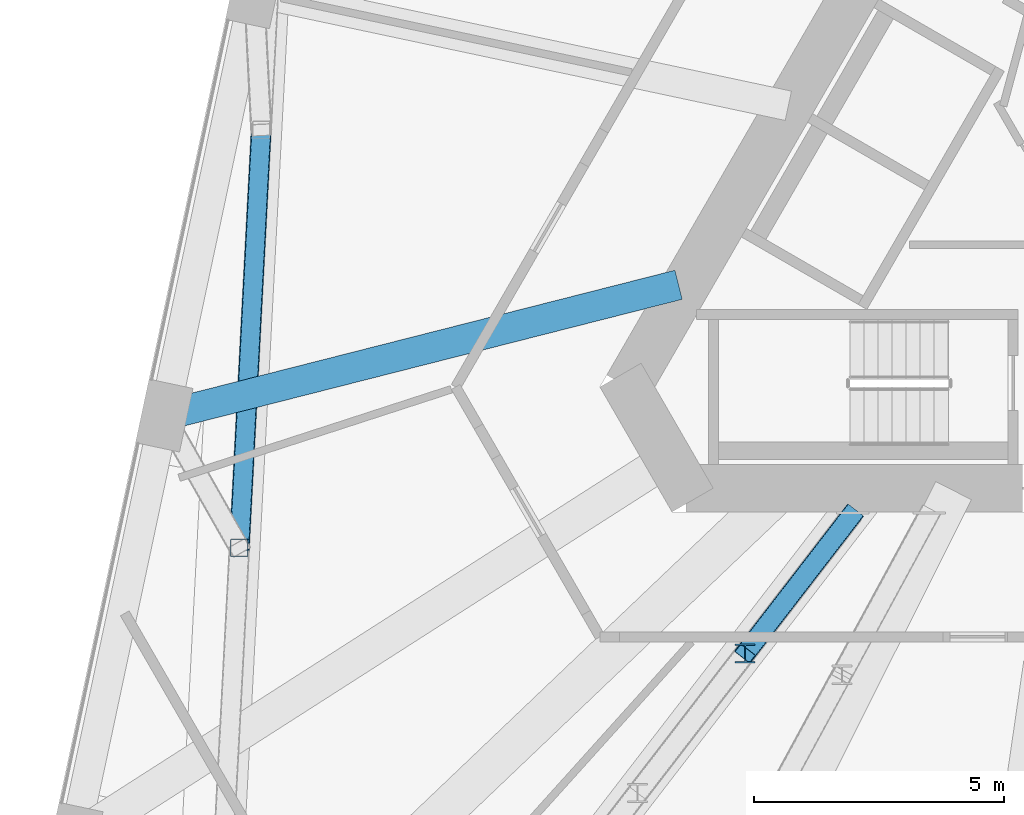
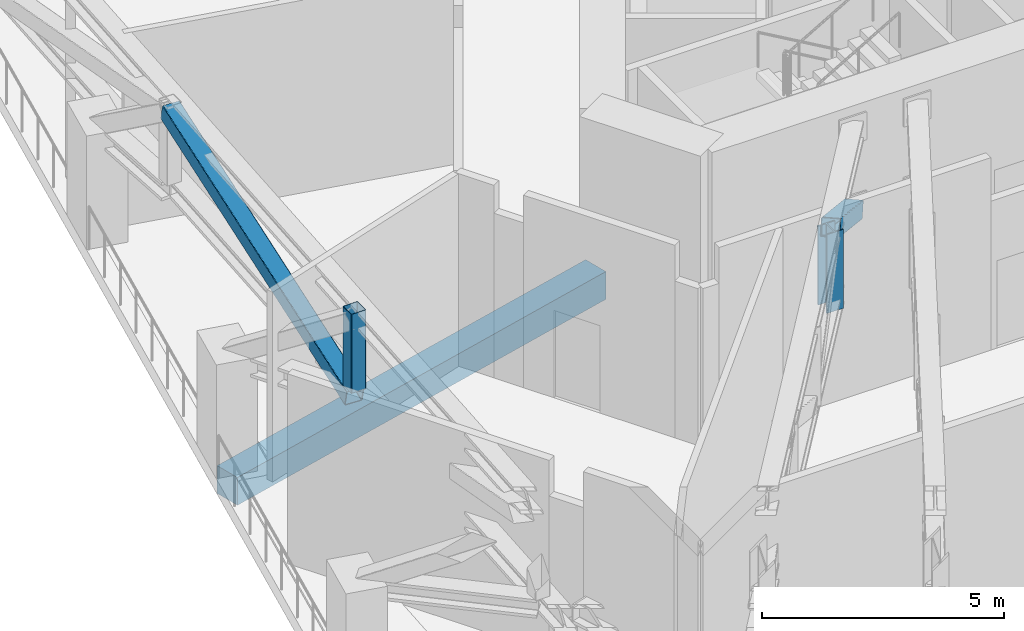
# One storey, part 6 of 24: 4 members, 1 beam.
"""IFC4 building model written with IfcOpenShell, lengths in metres."""

from ifc_helpers import new_model, si_unit, direction, frame, origin, origin_2d, place, context, subcontext, project, spatial, rectangle, hollow_rectangle, i_section, extrude, material, material_profile, profile_set, type_object, element, save


model = new_model("IFC4")

# Units and contexts
model_context = context("Model", 3, precision=1e-05, world=origin(), true_north=direction((0.0, 1.0)))
body_context = subcontext(model_context, "Body", "Model", "MODEL_VIEW")
ifc_project = project(units=[si_unit("LENGTHUNIT", "METRE"), si_unit("AREAUNIT", "SQUARE_METRE"), si_unit("VOLUMEUNIT", "CUBIC_METRE"), si_unit("PLANEANGLEUNIT", "RADIAN"), si_unit("MASSUNIT", "GRAM", prefix="KILO")], contexts=[model_context])

# Site, building, storey
site_placement = place(None, origin())
site = spatial("IfcSite", under=ifc_project, at=site_placement, CompositionType="ELEMENT")
building_placement = place(site_placement, origin())
building = spatial("IfcBuilding", under=site, at=building_placement, Name="Tramontana Tower", CompositionType="ELEMENT")
storey_placement = place(building_placement, frame((0.0, 0.0, 120.39990234375)))
storey = spatial("IfcBuildingStorey", under=building, at=storey_placement, Name="L27", CompositionType="ELEMENT", Elevation=120.39990234375)

# Members
ifc_material_1 = material(Name="Steel ASTM A500 Grade C", Category="steel")
ifc_material_profile_1 = material_profile(ifc_material_1, hollow_rectangle(XDim=0.355712890625, YDim=0.355712890625, WallThickness=0.01171875, InnerFilletRadius=0.01171875, OuterFilletRadius=0.023681640625, at=origin_2d()), Name="HSS14X14X1/2")
ifc_profile_set_1 = profile_set([ifc_material_profile_1], Name="Steel ASTM A500 Grade C")
member_type_1 = type_object("IfcMemberType", Name="Belt truss HSS14X14X1/2 post", PredefinedType="POST", material=ifc_profile_set_1)
member_1_placement = place(storey_placement, frame((-17.46484375, -7.4677734375, 2.86376953125), z_axis=(0.0, 0.0, 1.0), x_axis=(1.0, 0.0, 0.0)))
element("IfcMember", 1, at=member_1_placement, inside=storey, type_object=member_type_1, Name="Belt truss post C3F04", PredefinedType="POST", context=body_context, shape_type="SweptSolid", body=[
    extrude(hollow_rectangle(XDim=0.355712890625, YDim=0.355712890625, WallThickness=0.01171875, InnerFilletRadius=0.01171875, OuterFilletRadius=0.023681640625, at=origin_2d()), origin(), (0.0, 0.0, 1.0), 1.986328125),
])
ifc_material_2 = material(Name="Steel ASTM A500 Grade C", Category="steel")
ifc_material_profile_2 = material_profile(ifc_material_2, hollow_rectangle(XDim=0.406494140625, YDim=0.406494140625, WallThickness=0.0146484375, InnerFilletRadius=0.0146484375, OuterFilletRadius=0.029541015625, at=origin_2d()), Name="HSS16X16X5/8")
ifc_profile_set_2 = profile_set([ifc_material_profile_2], Name="Steel ASTM A500 Grade C")
member_type_2 = type_object("IfcMemberType", Name="Belt truss HSS16X16X5/8 brace", PredefinedType="BRACE", material=ifc_profile_set_2)
member_2_placement = place(storey_placement, frame((-17.026611328125, 0.892333984375, 4.618408203125), z_axis=(-0.050933190905, -0.971646382266, -0.230887673758), x_axis=(0.998628924383, -0.052347601532, 0.0)))
element("IfcMember", 2, at=member_2_placement, inside=storey, type_object=member_type_2, Name="Belt truss diagonal S0.4", PredefinedType="BRACE", context=body_context, shape_type="SweptSolid", body=[
    extrude(hollow_rectangle(XDim=0.406494140625, YDim=0.406494140625, WallThickness=0.0146484375, InnerFilletRadius=0.0146484375, OuterFilletRadius=0.029541015625, at=origin_2d()), origin(), (0.0, 0.0, 1.0), 8.60400390625),
])
ifc_material_3 = material(Name="Steel ASTM A500 Grade C", Category="steel")
ifc_material_profile_3 = material_profile(ifc_material_3, hollow_rectangle(XDim=0.406494140625, YDim=0.406494140625, WallThickness=0.0146484375, InnerFilletRadius=0.0146484375, OuterFilletRadius=0.029541015625, at=origin_2d()), Name="HSS16X16X5/8")
ifc_profile_set_3 = profile_set([ifc_material_profile_3], Name="Steel ASTM A500 Grade C")
member_type_3 = type_object("IfcMemberType", Name="Outrigger truss HSS16X16X5/8 brace", PredefinedType="BRACE", material=ifc_profile_set_3)
member_3_placement = place(storey_placement, frame((-5.190185546875, -6.7900390625, 2.6318359375), z_axis=(-0.531876580369, -0.690088450443, 0.490800604952), x_axis=(0.792047156746, -0.610459909814, 0.0)))
element("IfcMember", 3, at=member_3_placement, inside=storey, type_object=member_type_3, Name="Outrigger truss diagonal 1.1", PredefinedType="BRACE", context=body_context, shape_type="SweptSolid", body=[
    extrude(hollow_rectangle(XDim=0.406494140625, YDim=0.406494140625, WallThickness=0.0146484375, InnerFilletRadius=0.0146484375, OuterFilletRadius=0.029541015625, at=origin_2d()), origin(), (0.0, 0.0, 1.0), 4.047607421875),
])
ifc_material_4 = material(Name="Steel ASTM A992 Grade 50", Category="steel")
ifc_material_profile_4 = material_profile(ifc_material_4, i_section(OverallWidth=0.39697265625, OverallDepth=0.387451171875, WebThickness=0.020751953125, FlangeThickness=0.033447265625, FilletRadius=0.01513671875, at=origin_2d()), Name="W14X176")
ifc_profile_set_4 = profile_set([ifc_material_profile_4], Name="Steel ASTM A992 Grade 50")
member_type_4 = type_object("IfcMemberType", Name="Outrigger truss W14X176 post", PredefinedType="POST", material=ifc_profile_set_4)
member_4_placement = place(storey_placement, frame((-7.343017578125, -9.583251953125, 2.6318359375), z_axis=(0.0, 0.0, 1.0), x_axis=(1.0, 0.0, 0.0)))
element("IfcMember", 4, at=member_4_placement, inside=storey, type_object=member_type_4, Name="Outrigger truss post 1.1", PredefinedType="POST", context=body_context, shape_type="SweptSolid", body=[
    extrude(i_section(OverallWidth=0.39697265625, OverallDepth=0.387451171875, WebThickness=0.020751953125, FlangeThickness=0.033447265625, FilletRadius=0.01513671875, at=origin_2d()), origin(), (0.0, 0.0, 1.0), 1.986572265625),
])

# Beam
ifc_material_5 = material(Name="Concrete 40 MPa", Category="concrete")
ifc_material_profile_5 = material_profile(ifc_material_5, rectangle(XDim=0.60009765625, YDim=0.699951171875, at=origin_2d()), Name="RC GIRDER 600X700 40 MPa")
ifc_profile_set_5 = profile_set([ifc_material_profile_5], Name="Concrete 40 MPa")
beam_type = type_object("IfcBeamType", Name="RC GIRDER 600X700 40 MPa", PredefinedType="BEAM", material=ifc_profile_set_5)
beam_placement = place(storey_placement, frame((-18.967041015625, -4.822265625, -0.699951171875), z_axis=(0.969167879742, 0.24640134106, 0.0), x_axis=(-0.24640134106, 0.969167879742, 0.0)))
element("IfcBeam", 5, at=beam_placement, inside=storey, type_object=beam_type, Name="Radial girder C2F04 L27", PredefinedType="BEAM", context=body_context, shape_type="SweptSolid", body=[
    extrude(rectangle(XDim=0.60009765625, YDim=0.699951171875, at=origin_2d()), origin(), (0.0, 0.0, 1.0), 10.61962890625),
])

save(model, "model.ifc")
